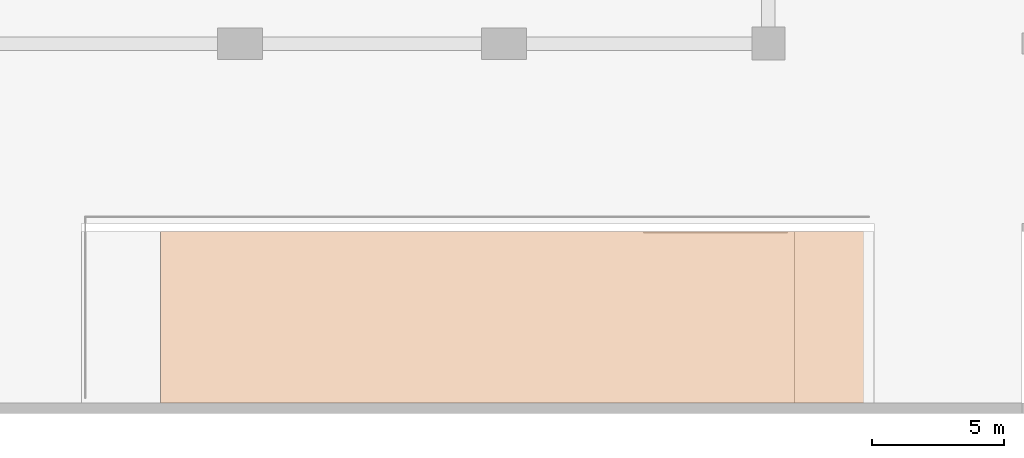
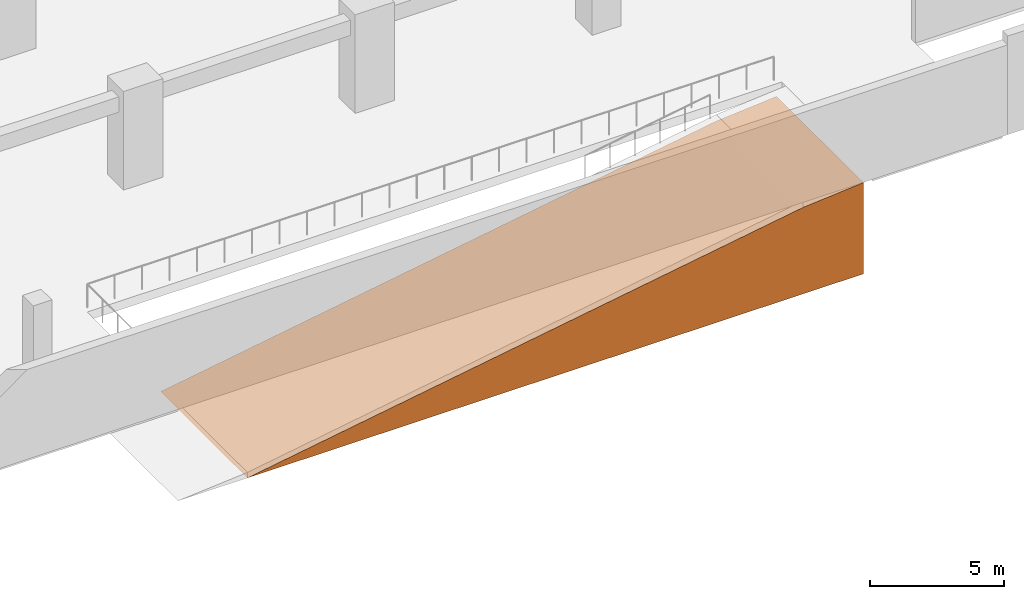
# One storey, part 19 of 19: 1 proxy.
"""IFC4 building model written with IfcOpenShell, lengths in metres."""

import ifcopenshell
import ifcopenshell.guid

model = None  # the IFC model being written
_history = None  # IfcOwnerHistory: only IFC2X3 demands one
_inside = {}  # id of a spatial element -> (the spatial element, [elements in it])
_under = {}  # id of a project, library or spatial element -> (it, [spatial elements below it])
_declared = {}  # id of a project -> (the project, [libraries it declares])
_typed = {}  # id of a type object -> (the type object, [elements of that type])
_made_of = {}  # id of a material, layer set ... -> (it, [elements and type objects made of it])


def new_model(schema):
    """Start an empty IFC model of exactly this schema.

    Asked for "IFC4X3", IfcOpenShell would pick the latest addendum, in which some entities
    have other attributes; the version numbers below select the first issue.
    IFC2X3 requires an IfcOwnerHistory on every rooted entity: one is made here for all.
    """
    global model, _history
    if schema == "IFC4X3":
        model = ifcopenshell.file(schema_version=(4, 3, 0, 0))
    else:
        model = ifcopenshell.file(schema=schema)
    _inside.clear()
    _under.clear()
    _declared.clear()
    _typed.clear()
    _made_of.clear()
    _history = None
    if model.schema == "IFC2X3":
        org = make("IfcOrganization", Name="unknown")
        user = make(
            "IfcPersonAndOrganization",
            ThePerson=make("IfcPerson", FamilyName="unknown"),
            TheOrganization=org,
        )
        app = make(
            "IfcApplication",
            ApplicationDeveloper=org,
            Version="unknown",
            ApplicationFullName="unknown",
            ApplicationIdentifier="unknown",
        )
        _history = make(
            "IfcOwnerHistory",
            OwningUser=user,
            OwningApplication=app,
            ChangeAction="ADDED",
            CreationDate=0,
        )
    return model


def make(cls, **values):
    """One entity of the class cls with the attributes given. An attribute that is None is left unset."""
    return model.create_entity(
        cls, **{name: value for name, value in values.items() if value is not None}
    )


def rooted(cls, **values):
    """An entity with a GlobalId (a new one), such as an element, a storey or a relation."""
    return make(cls, GlobalId=ifcopenshell.guid.new(), OwnerHistory=_history, **values)


def si_unit(unit_type, name, prefix=None):
    """IfcSIUnit, for example si_unit("LENGTHUNIT", "METRE", prefix="MILLI")."""
    return make("IfcSIUnit", UnitType=unit_type, Prefix=prefix, Name=name)


def assignment(units):
    """IfcUnitAssignment: the units of a project."""
    return None if units is None else make("IfcUnitAssignment", Units=units)


def point(xyz):
    """IfcCartesianPoint."""
    return None if xyz is None else make("IfcCartesianPoint", Coordinates=xyz)


def direction(xyz):
    """IfcDirection."""
    return None if xyz is None else make("IfcDirection", DirectionRatios=xyz)


def frame(location, z_axis=None, x_axis=None):
    """IfcAxis2Placement3D, a coordinate frame: its origin and axes. An axis left out is left unset."""
    return make(
        "IfcAxis2Placement3D",
        Location=point(location),
        Axis=direction(z_axis),
        RefDirection=direction(x_axis),
    )


def origin():
    """The frame at (0, 0, 0) with its axes left unset."""
    return frame((0.0, 0.0, 0.0))


def place(relative_to, where):
    """IfcLocalPlacement: puts the frame where relative to a parent placement (None: the world)."""
    return make(
        "IfcLocalPlacement", PlacementRelTo=relative_to, RelativePlacement=where
    )


def context(
    kind, dimensions, precision=None, world=None, true_north=None, identifier=None
):
    """IfcGeometricRepresentationContext, for example the 3D "Model" context."""
    return make(
        "IfcGeometricRepresentationContext",
        ContextIdentifier=identifier,
        ContextType=kind,
        CoordinateSpaceDimension=dimensions,
        Precision=precision,
        WorldCoordinateSystem=world,
        TrueNorth=true_north,
    )


def subcontext(parent, identifier, kind, view, scale=None):
    """IfcGeometricRepresentationSubContext, for example "Body" below "Model"."""
    return make(
        "IfcGeometricRepresentationSubContext",
        ContextIdentifier=identifier,
        ContextType=kind,
        ParentContext=parent,
        TargetScale=scale,
        TargetView=view,
    )


def project(units=None, contexts=None):
    """IfcProject with its units and contexts."""
    return rooted(
        "IfcProject",
        Name="project",
        RepresentationContexts=contexts,
        UnitsInContext=assignment(units),
    )


def spatial(cls, under=None, at=None, **own):
    """A site, building, storey or space (cls), placed at a placement, below another one or the project."""
    s = rooted(cls, ObjectPlacement=at, **own)
    if under is not None:
        _under.setdefault(under.id(), (under, []))[1].append(s)
    return s


def polyline(points):
    """IfcPolyline through the points."""
    return make("IfcPolyline", Points=[point(p) for p in points])


def outline(outer, holes=None, kind="AREA"):
    """IfcArbitraryClosedProfileDef: a profile drawn as a closed curve; with holes, ...WithVoids."""
    if holes is None:
        return make("IfcArbitraryClosedProfileDef", ProfileType=kind, OuterCurve=outer)
    return make(
        "IfcArbitraryProfileDefWithVoids",
        ProfileType=kind,
        OuterCurve=outer,
        InnerCurves=holes,
    )


def extrude(swept, where, along, depth):
    """IfcExtrudedAreaSolid: the profile swept, set in the frame where, extruded along a direction by depth."""
    return make(
        "IfcExtrudedAreaSolid",
        SweptArea=swept,
        Position=where,
        ExtrudedDirection=direction(along),
        Depth=depth,
    )


def shape(context_of_items, identifier, shape_type, items):
    """IfcShapeRepresentation: the items that make up one representation, for example the "Body"."""
    return make(
        "IfcShapeRepresentation",
        ContextOfItems=context_of_items,
        RepresentationIdentifier=identifier,
        RepresentationType=shape_type,
        Items=items,
    )


def material(Name=None, Category=None):
    """IfcMaterial."""
    return make("IfcMaterial", Name=Name, Category=Category)


def made_of(thing, what):
    """Note that an element or type object is made of a material, layer set ...; save() writes the relation."""
    if what is not None:
        _made_of.setdefault(what.id(), (what, []))[1].append(thing)
    return thing


def type_object(cls, material=None, **own):
    """A type object (cls), such as IfcWallType, which elements share."""
    return made_of(rooted(cls, **own), material)


def element(
    cls,
    number,
    at=None,
    inside=None,
    cuts=None,
    type_object=None,
    material=None,
    context=None,
    identifier="Body",
    shape_type=None,
    held_by="IfcProductDefinitionShape",
    body=None,
    shapes=None,
    **own,
):
    """One element of the class cls, such as IfcWall. Its Tag is "e" and its number.

    at: its placement. inside: the storey or other place that contains it. cuts: it is an
    opening in that element (IfcRelVoidsElement). A single representation is given by context,
    identifier, shape_type and body (its items); several are given by shapes. held_by: the class
    of the entity that holds the representations. save() writes the other relations.
    """
    e = rooted(cls, Tag="e%d" % number, ObjectPlacement=at, **own)
    if body is not None:
        shapes = [shape(context, identifier, shape_type, body)]
    if shapes is not None:
        e.Representation = make(held_by, Representations=shapes)
    if inside is not None:
        _inside.setdefault(inside.id(), (inside, []))[1].append(e)
    if cuts is not None:
        rooted(
            "IfcRelVoidsElement", RelatingBuildingElement=cuts, RelatedOpeningElement=e
        )
    if type_object is not None:
        _typed.setdefault(type_object.id(), (type_object, []))[1].append(e)
    return made_of(e, material)


def aggregate(whole, parts):
    """IfcRelAggregates: a whole, such as a stair, and the parts it consists of."""
    return rooted("IfcRelAggregates", RelatingObject=whole, RelatedObjects=parts)


def save(model, path):
    """Write the relations noted so far, then the file.

    IfcRelAggregates (storeys below a building ...), IfcRelContainedInSpatialStructure (elements
    in a storey), IfcRelDefinesByType, IfcRelAssociatesMaterial and IfcRelDeclares: one each for
    every whole, place, type object, material and project.
    """
    for whole, parts in _under.values():
        aggregate(whole, parts)
    for where, things in _inside.values():
        rooted(
            "IfcRelContainedInSpatialStructure",
            RelatedElements=things,
            RelatingStructure=where,
        )
    for kind, things in _typed.values():
        rooted("IfcRelDefinesByType", RelatedObjects=things, RelatingType=kind)
    for what, things in _made_of.values():
        rooted("IfcRelAssociatesMaterial", RelatedObjects=things, RelatingMaterial=what)
    for by, libraries in _declared.values():
        rooted("IfcRelDeclares", RelatingContext=by, RelatedDefinitions=libraries)
    model.write(path)


model = new_model("IFC4")

# Units and contexts
model_context = context("Model", 3, precision=1e-05, world=origin(), true_north=direction((0.0, 1.0)))
body_context = subcontext(model_context, "Body", "Model", "MODEL_VIEW")
ifc_project = project(units=[si_unit("LENGTHUNIT", "METRE"), si_unit("AREAUNIT", "SQUARE_METRE"), si_unit("VOLUMEUNIT", "CUBIC_METRE"), si_unit("PLANEANGLEUNIT", "RADIAN"), si_unit("MASSUNIT", "GRAM", prefix="KILO")], contexts=[model_context])

# Site, building, storey
site_placement = place(None, origin())
site = spatial("IfcSite", under=ifc_project, at=site_placement, CompositionType="ELEMENT")
building_placement = place(site_placement, origin())
building = spatial("IfcBuilding", under=site, at=building_placement, Name="Qaws Garden Tower", CompositionType="ELEMENT")
storey_placement = place(building_placement, frame((0.0, 0.0, -4.5)))
storey = spatial("IfcBuildingStorey", under=building, at=storey_placement, Name="B1", CompositionType="ELEMENT", Elevation=-4.5)

# Proxy
ifc_material = material(Name="Compacted fill")
building_element_proxy_type = type_object("IfcBuildingElementProxyType", Name="Compacted fill", PredefinedType="NOTDEFINED", material=ifc_material)
proxy_placement = place(storey_placement, frame((73.60009765625, -10.35009765625, -4.5), z_axis=(0.0, 0.0, 1.0), x_axis=(-1.0, 0.0, 0.0)))
element("IfcBuildingElementProxy", 1, at=proxy_placement, inside=storey, type_object=building_element_proxy_type, Name="Compacted fill below R2", PredefinedType="NOTDEFINED", context=body_context, shape_type="SweptSolid", body=[
    extrude(outline(polyline([(0.0, 0.0), (26.60009765625, 0.0), (2.60009765625, 3.949951171875), (0.0, 4.166748046875), (0.0, 0.0)])), frame((0.0, 3.25, 0.0), z_axis=(0.0, -1.0, 0.0), x_axis=(1.0, 0.0, 0.0)), (0.0, 0.0, 1.0), 6.5),
])

save(model, "model.ifc")
